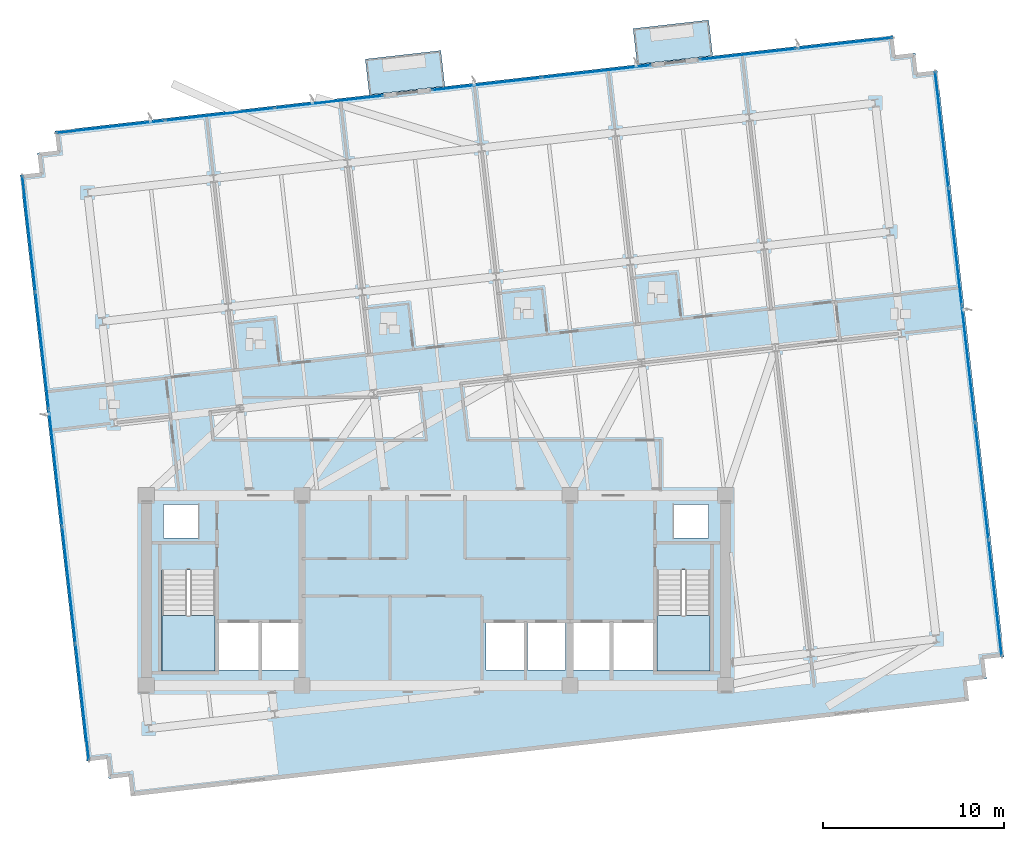
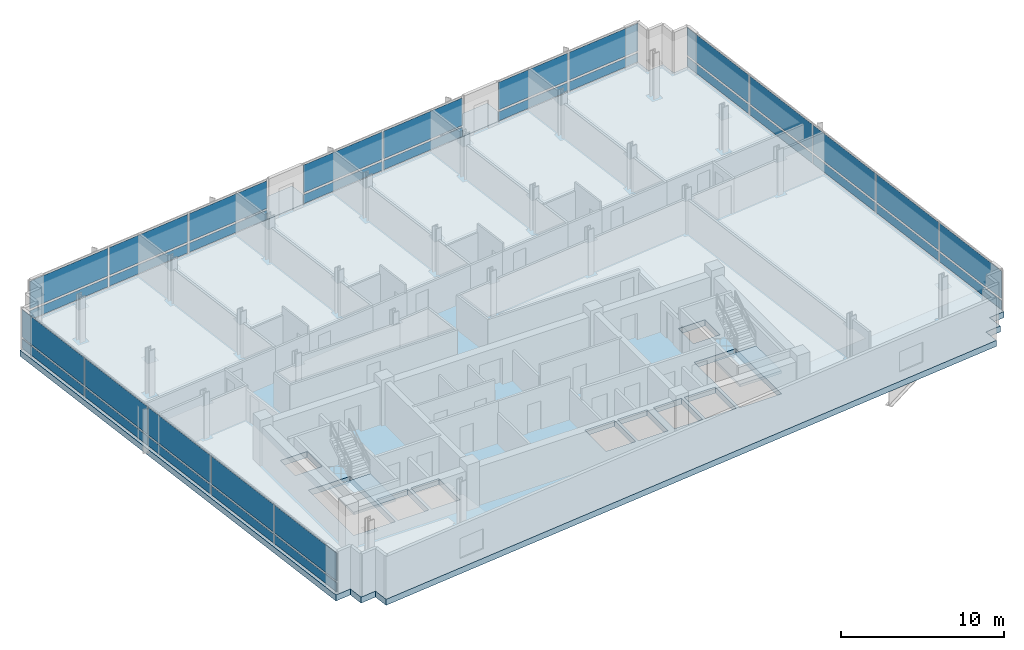
# One storey, part 7 of 15: 34 plates, 5 slabs, 7 elements without a shape of their own.
"""IFC4 building model written with IfcOpenShell, lengths in metres."""

from ifc_helpers import new_model, si_unit, direction, frame, origin, origin_2d, place, context, subcontext, project, spatial, polyline, rectangle, outline, extrude, material, layer, layer_set, type_object, element, aggregate, save


model = new_model("IFC4")

# Units and contexts
model_context = context("Model", 3, precision=1e-05, world=origin(), true_north=direction((0.0, 1.0)))
body_context = subcontext(model_context, "Body", "Model", "MODEL_VIEW")
ifc_project = project(units=[si_unit("LENGTHUNIT", "METRE"), si_unit("AREAUNIT", "SQUARE_METRE"), si_unit("VOLUMEUNIT", "CUBIC_METRE"), si_unit("PLANEANGLEUNIT", "RADIAN"), si_unit("MASSUNIT", "GRAM", prefix="KILO")], contexts=[model_context])

# Site, building, storey
site_placement = place(None, origin())
site = spatial("IfcSite", under=ifc_project, at=site_placement, CompositionType="ELEMENT")
building_placement = place(site_placement, origin())
building = spatial("IfcBuilding", under=site, at=building_placement, Name="Solmavex Isthmus Hotel", CompositionType="ELEMENT")
storey_placement = place(building_placement, frame((0.0, 0.0, 191.699951171875)))
storey = spatial("IfcBuildingStorey", under=building, at=storey_placement, Name="L51", CompositionType="ELEMENT", Elevation=191.699951171875)

# Curtain wall, plates
ifc_material_1 = material(Name="Aluminium alloy 6063-T6", Category="aluminium")
curtain_wall_type = type_object("IfcCurtainWallType", Name="CW-SYS-04", PredefinedType="NOTDEFINED", material=ifc_material_1)
curtain_wall_1_placement = place(storey_placement, origin())
curtain_wall_1 = element("IfcCurtainWall", 1, at=curtain_wall_1_placement, inside=storey, type_object=curtain_wall_type, Name="Stick Curtain Wall CWL-L51-N1", PredefinedType="NOTDEFINED")
ifc_material_2 = material(Name="Clear low-E laminated glass", Category="glass")
ifc_layer_1 = layer(ifc_material_2, 0.033935546875)
ifc_layer_set_1 = layer_set([ifc_layer_1], Name="Clear low-E laminated glass")
plate_type = type_object("IfcPlateType", Name="CW-SYS-04-PNL", PredefinedType="CURTAIN_PANEL", material=ifc_layer_set_1)
plate_1_placement = place(storey_placement, frame((-17.985595703125, 17.87109375, 0.14990234375), z_axis=(0.0, 0.0, 1.0), x_axis=(0.993571885329, 0.113202953513, 0.0)))
plate_1 = element("IfcPlate", 2, at=plate_1_placement, type_object=plate_type, Name="CW-04 panel 1.1", PredefinedType="CURTAIN_PANEL", context=body_context, shape_type="SweptSolid", body=[
    extrude(rectangle(XDim=5.979736328125, YDim=0.033935546875, at=origin_2d()), origin(), (0.0, 0.0, 1.0), 0.675048828125),
])
plate_2_placement = place(storey_placement, frame((-17.985595703125, 17.87109375, 0.97509765625), z_axis=(0.0, 0.0, 1.0), x_axis=(0.993571885329, 0.113202953513, 0.0)))
plate_2 = element("IfcPlate", 3, at=plate_2_placement, type_object=plate_type, Name="CW-04 panel 1.2", PredefinedType="CURTAIN_PANEL", context=body_context, shape_type="SweptSolid", body=[
    extrude(rectangle(XDim=5.979736328125, YDim=0.033935546875, at=origin_2d()), origin(), (0.0, 0.0, 1.0), 2.06494140625),
])
plate_3_placement = place(storey_placement, frame((-11.951171875, 18.558837890625, 0.14990234375), z_axis=(0.0, 0.0, 1.0), x_axis=(0.993571885329, 0.113202953513, 0.0)))
plate_3 = element("IfcPlate", 4, at=plate_3_placement, type_object=plate_type, Name="CW-04 panel 2.1", PredefinedType="CURTAIN_PANEL", context=body_context, shape_type="SweptSolid", body=[
    extrude(rectangle(XDim=6.017333984375, YDim=0.033935546875, at=origin_2d()), origin(), (0.0, 0.0, 1.0), 0.675048828125),
])
plate_4_placement = place(storey_placement, frame((-11.951171875, 18.558837890625, 0.97509765625), z_axis=(0.0, 0.0, 1.0), x_axis=(0.993571885329, 0.113202953513, 0.0)))
plate_4 = element("IfcPlate", 5, at=plate_4_placement, type_object=plate_type, Name="CW-04 panel 2.2", PredefinedType="CURTAIN_PANEL", context=body_context, shape_type="SweptSolid", body=[
    extrude(rectangle(XDim=6.017333984375, YDim=0.033935546875, at=origin_2d()), origin(), (0.0, 0.0, 1.0), 2.06494140625),
])
plate_5_placement = place(storey_placement, frame((-5.91650390625, 19.246337890625, 0.14990234375), z_axis=(0.0, 0.0, 1.0), x_axis=(0.993571885329, 0.113202953513, 0.0)))
plate_5 = element("IfcPlate", 6, at=plate_5_placement, type_object=plate_type, Name="CW-04 panel 3.1", PredefinedType="CURTAIN_PANEL", context=body_context, shape_type="SweptSolid", body=[
    extrude(rectangle(XDim=5.979736328125, YDim=0.033935546875, at=origin_2d()), origin(), (0.0, 0.0, 1.0), 0.675048828125),
])
plate_6_placement = place(storey_placement, frame((-5.91650390625, 19.246337890625, 0.97509765625), z_axis=(0.0, 0.0, 1.0), x_axis=(0.993571885329, 0.113202953513, 0.0)))
plate_6 = element("IfcPlate", 7, at=plate_6_placement, type_object=plate_type, Name="CW-04 panel 3.2", PredefinedType="CURTAIN_PANEL", context=body_context, shape_type="SweptSolid", body=[
    extrude(rectangle(XDim=5.979736328125, YDim=0.033935546875, at=origin_2d()), origin(), (0.0, 0.0, 1.0), 2.06494140625),
])
aggregate(curtain_wall_1, [plate_1, plate_2, plate_3, plate_4, plate_5, plate_6])

curtain_wall_2_placement = place(storey_placement, origin())
curtain_wall_2 = element("IfcCurtainWall", 8, at=curtain_wall_2_placement, inside=storey, type_object=curtain_wall_type, Name="Stick Curtain Wall CWL-L51-N2", PredefinedType="NOTDEFINED")
plate_7_placement = place(storey_placement, frame((2.78369140625, 20.237548828125, 0.14990234375), z_axis=(0.0, 0.0, 1.0), x_axis=(0.993571896348, 0.113202856801, 0.0)))
plate_7 = element("IfcPlate", 9, at=plate_7_placement, type_object=plate_type, Name="CW-04 panel 1.1", PredefinedType="CURTAIN_PANEL", context=body_context, shape_type="SweptSolid", body=[
    extrude(rectangle(XDim=6.033447265625, YDim=0.033935546875, at=origin_2d()), origin(), (0.0, 0.0, 1.0), 0.675048828125),
])
plate_8_placement = place(storey_placement, frame((2.78369140625, 20.237548828125, 0.97509765625), z_axis=(0.0, 0.0, 1.0), x_axis=(0.993571896348, 0.113202856801, 0.0)))
plate_8 = element("IfcPlate", 10, at=plate_8_placement, type_object=plate_type, Name="CW-04 panel 1.2", PredefinedType="CURTAIN_PANEL", context=body_context, shape_type="SweptSolid", body=[
    extrude(rectangle(XDim=6.033447265625, YDim=0.033935546875, at=origin_2d()), origin(), (0.0, 0.0, 1.0), 2.06494140625),
])
plate_9_placement = place(storey_placement, frame((8.85302734375, 20.928955078125, 0.14990234375), z_axis=(0.0, 0.0, 1.0), x_axis=(0.993571896348, 0.113202856801, 0.0)))
plate_9 = element("IfcPlate", 11, at=plate_9_placement, type_object=plate_type, Name="CW-04 panel 2.1", PredefinedType="CURTAIN_PANEL", context=body_context, shape_type="SweptSolid", body=[
    extrude(rectangle(XDim=6.033447265625, YDim=0.033935546875, at=origin_2d()), origin(), (0.0, 0.0, 1.0), 0.675048828125),
])
plate_10_placement = place(storey_placement, frame((8.85302734375, 20.928955078125, 0.97509765625), z_axis=(0.0, 0.0, 1.0), x_axis=(0.993571896348, 0.113202856801, 0.0)))
plate_10 = element("IfcPlate", 12, at=plate_10_placement, type_object=plate_type, Name="CW-04 panel 2.2", PredefinedType="CURTAIN_PANEL", context=body_context, shape_type="SweptSolid", body=[
    extrude(rectangle(XDim=6.033447265625, YDim=0.033935546875, at=origin_2d()), origin(), (0.0, 0.0, 1.0), 2.06494140625),
])
aggregate(curtain_wall_2, [plate_7, plate_8, plate_9, plate_10])

curtain_wall_3_placement = place(storey_placement, origin())
curtain_wall_3 = element("IfcCurtainWall", 13, at=curtain_wall_3_placement, inside=storey, type_object=curtain_wall_type, Name="Stick Curtain Wall CWL-L51-N3", PredefinedType="NOTDEFINED")
plate_11_placement = place(storey_placement, frame((17.217041015625, 21.882080078125, 0.14990234375), z_axis=(0.0, 0.0, 1.0), x_axis=(0.993571797279, 0.113203726319, 0.0)))
plate_11 = element("IfcPlate", 14, at=plate_11_placement, type_object=plate_type, Name="CW-04 panel 1.1", PredefinedType="CURTAIN_PANEL", context=body_context, shape_type="SweptSolid", body=[
    extrude(rectangle(XDim=5.302978515625, YDim=0.033935546875, at=origin_2d()), origin(), (0.0, 0.0, 1.0), 0.675048828125),
])
plate_12_placement = place(storey_placement, frame((17.217041015625, 21.882080078125, 0.97509765625), z_axis=(0.0, 0.0, 1.0), x_axis=(0.993571797279, 0.113203726319, 0.0)))
plate_12 = element("IfcPlate", 15, at=plate_12_placement, type_object=plate_type, Name="CW-04 panel 1.2", PredefinedType="CURTAIN_PANEL", context=body_context, shape_type="SweptSolid", body=[
    extrude(rectangle(XDim=5.302978515625, YDim=0.033935546875, at=origin_2d()), origin(), (0.0, 0.0, 1.0), 2.06494140625),
])
plate_13_placement = place(storey_placement, frame((22.560546875, 22.49072265625, 0.14990234375), z_axis=(0.0, 0.0, 1.0), x_axis=(0.993571797279, 0.113203726319, 0.0)))
plate_13 = element("IfcPlate", 16, at=plate_13_placement, type_object=plate_type, Name="CW-04 panel 2.1", PredefinedType="CURTAIN_PANEL", context=body_context, shape_type="SweptSolid", body=[
    extrude(rectangle(XDim=5.302978515625, YDim=0.033935546875, at=origin_2d()), origin(), (0.0, 0.0, 1.0), 0.675048828125),
])
plate_14_placement = place(storey_placement, frame((22.560546875, 22.49072265625, 0.97509765625), z_axis=(0.0, 0.0, 1.0), x_axis=(0.993571797279, 0.113203726319, 0.0)))
plate_14 = element("IfcPlate", 17, at=plate_14_placement, type_object=plate_type, Name="CW-04 panel 2.2", PredefinedType="CURTAIN_PANEL", context=body_context, shape_type="SweptSolid", body=[
    extrude(rectangle(XDim=5.302978515625, YDim=0.033935546875, at=origin_2d()), origin(), (0.0, 0.0, 1.0), 2.06494140625),
])
aggregate(curtain_wall_3, [plate_11, plate_12, plate_13, plate_14])

curtain_wall_4_placement = place(storey_placement, origin())
curtain_wall_4 = element("IfcCurtainWall", 18, at=curtain_wall_4_placement, inside=storey, type_object=curtain_wall_type, Name="Stick Curtain Wall CWL-L51-W1", PredefinedType="NOTDEFINED")
plate_15_placement = place(storey_placement, frame((-19.542724609375, -13.91064453125, 0.14990234375), z_axis=(0.0, 0.0, 1.0), x_axis=(-0.11320338078, 0.993571836648, 0.0)))
plate_15 = element("IfcPlate", 19, at=plate_15_placement, type_object=plate_type, Name="CW-04 panel 1.1", PredefinedType="CURTAIN_PANEL", context=body_context, shape_type="SweptSolid", body=[
    extrude(rectangle(XDim=6.407470703125, YDim=0.033935546875, at=origin_2d()), origin(), (0.0, 0.0, 1.0), 0.675048828125),
])
plate_16_placement = place(storey_placement, frame((-19.542724609375, -13.91064453125, 0.97509765625), z_axis=(0.0, 0.0, 1.0), x_axis=(-0.11320338078, 0.993571836648, 0.0)))
plate_16 = element("IfcPlate", 20, at=plate_16_placement, type_object=plate_type, Name="CW-04 panel 1.2", PredefinedType="CURTAIN_PANEL", context=body_context, shape_type="SweptSolid", body=[
    extrude(rectangle(XDim=6.407470703125, YDim=0.033935546875, at=origin_2d()), origin(), (0.0, 0.0, 1.0), 2.06494140625),
])
plate_17_placement = place(storey_placement, frame((-20.27880859375, -7.451171875, 0.14990234375), z_axis=(0.0, 0.0, 1.0), x_axis=(-0.11320338078, 0.993571836648, 0.0)))
plate_17 = element("IfcPlate", 21, at=plate_17_placement, type_object=plate_type, Name="CW-04 panel 2.1", PredefinedType="CURTAIN_PANEL", context=body_context, shape_type="SweptSolid", body=[
    extrude(rectangle(XDim=6.445068359375, YDim=0.033935546875, at=origin_2d()), origin(), (0.0, 0.0, 1.0), 0.675048828125),
])
plate_18_placement = place(storey_placement, frame((-20.27880859375, -7.451171875, 0.97509765625), z_axis=(0.0, 0.0, 1.0), x_axis=(-0.11320338078, 0.993571836648, 0.0)))
plate_18 = element("IfcPlate", 22, at=plate_18_placement, type_object=plate_type, Name="CW-04 panel 2.2", PredefinedType="CURTAIN_PANEL", context=body_context, shape_type="SweptSolid", body=[
    extrude(rectangle(XDim=6.445068359375, YDim=0.033935546875, at=origin_2d()), origin(), (0.0, 0.0, 1.0), 2.06494140625),
])
plate_19_placement = place(storey_placement, frame((-21.016845703125, -0.97314453125, 0.14990234375), z_axis=(0.0, 0.0, 1.0), x_axis=(-0.11320338078, 0.993571836648, 0.0)))
plate_19 = element("IfcPlate", 23, at=plate_19_placement, type_object=plate_type, Name="CW-04 panel 3.1", PredefinedType="CURTAIN_PANEL", context=body_context, shape_type="SweptSolid", body=[
    extrude(rectangle(XDim=6.445068359375, YDim=0.033935546875, at=origin_2d()), origin(), (0.0, 0.0, 1.0), 0.675048828125),
])
plate_20_placement = place(storey_placement, frame((-21.016845703125, -0.97314453125, 0.97509765625), z_axis=(0.0, 0.0, 1.0), x_axis=(-0.11320338078, 0.993571836648, 0.0)))
plate_20 = element("IfcPlate", 24, at=plate_20_placement, type_object=plate_type, Name="CW-04 panel 3.2", PredefinedType="CURTAIN_PANEL", context=body_context, shape_type="SweptSolid", body=[
    extrude(rectangle(XDim=6.445068359375, YDim=0.033935546875, at=origin_2d()), origin(), (0.0, 0.0, 1.0), 2.06494140625),
])
plate_21_placement = place(storey_placement, frame((-21.7548828125, 5.5048828125, 0.14990234375), z_axis=(0.0, 0.0, 1.0), x_axis=(-0.11320338078, 0.993571836648, 0.0)))
plate_21 = element("IfcPlate", 25, at=plate_21_placement, type_object=plate_type, Name="CW-04 panel 4.1", PredefinedType="CURTAIN_PANEL", context=body_context, shape_type="SweptSolid", body=[
    extrude(rectangle(XDim=6.445068359375, YDim=0.033935546875, at=origin_2d()), origin(), (0.0, 0.0, 1.0), 0.675048828125),
])
plate_22_placement = place(storey_placement, frame((-21.7548828125, 5.5048828125, 0.97509765625), z_axis=(0.0, 0.0, 1.0), x_axis=(-0.11320338078, 0.993571836648, 0.0)))
plate_22 = element("IfcPlate", 26, at=plate_22_placement, type_object=plate_type, Name="CW-04 panel 4.2", PredefinedType="CURTAIN_PANEL", context=body_context, shape_type="SweptSolid", body=[
    extrude(rectangle(XDim=6.445068359375, YDim=0.033935546875, at=origin_2d()), origin(), (0.0, 0.0, 1.0), 2.06494140625),
])
plate_23_placement = place(storey_placement, frame((-22.490966796875, 11.96435546875, 0.14990234375), z_axis=(0.0, 0.0, 1.0), x_axis=(-0.11320338078, 0.993571836648, 0.0)))
plate_23 = element("IfcPlate", 27, at=plate_23_placement, type_object=plate_type, Name="CW-04 panel 5.1", PredefinedType="CURTAIN_PANEL", context=body_context, shape_type="SweptSolid", body=[
    extrude(rectangle(XDim=6.407470703125, YDim=0.033935546875, at=origin_2d()), origin(), (0.0, 0.0, 1.0), 0.675048828125),
])
plate_24_placement = place(storey_placement, frame((-22.490966796875, 11.96435546875, 0.97509765625), z_axis=(0.0, 0.0, 1.0), x_axis=(-0.11320338078, 0.993571836648, 0.0)))
plate_24 = element("IfcPlate", 28, at=plate_24_placement, type_object=plate_type, Name="CW-04 panel 5.2", PredefinedType="CURTAIN_PANEL", context=body_context, shape_type="SweptSolid", body=[
    extrude(rectangle(XDim=6.407470703125, YDim=0.033935546875, at=origin_2d()), origin(), (0.0, 0.0, 1.0), 2.06494140625),
])
aggregate(curtain_wall_4, [plate_15, plate_16, plate_17, plate_18, plate_19, plate_20, plate_21, plate_22, plate_23, plate_24])

curtain_wall_5_placement = place(storey_placement, origin())
curtain_wall_5 = element("IfcCurtainWall", 29, at=curtain_wall_5_placement, inside=storey, type_object=curtain_wall_type, Name="Stick Curtain Wall CWL-L51-E1", PredefinedType="NOTDEFINED")
plate_25_placement = place(storey_placement, frame((30.890869140625, -8.16455078125, 0.14990234375), z_axis=(0.0, 0.0, 1.0), x_axis=(-0.11320338078, 0.993571836648, 0.0)))
plate_25 = element("IfcPlate", 30, at=plate_25_placement, type_object=plate_type, Name="CW-04 panel 1.1", PredefinedType="CURTAIN_PANEL", context=body_context, shape_type="SweptSolid", body=[
    extrude(rectangle(XDim=6.407470703125, YDim=0.033935546875, at=origin_2d()), origin(), (0.0, 0.0, 1.0), 0.675048828125),
])
plate_26_placement = place(storey_placement, frame((30.890869140625, -8.16455078125, 0.97509765625), z_axis=(0.0, 0.0, 1.0), x_axis=(-0.11320338078, 0.993571836648, 0.0)))
plate_26 = element("IfcPlate", 31, at=plate_26_placement, type_object=plate_type, Name="CW-04 panel 1.2", PredefinedType="CURTAIN_PANEL", context=body_context, shape_type="SweptSolid", body=[
    extrude(rectangle(XDim=6.407470703125, YDim=0.033935546875, at=origin_2d()), origin(), (0.0, 0.0, 1.0), 2.06494140625),
])
plate_27_placement = place(storey_placement, frame((30.155029296875, -1.705078125, 0.14990234375), z_axis=(0.0, 0.0, 1.0), x_axis=(-0.11320338078, 0.993571836648, 0.0)))
plate_27 = element("IfcPlate", 32, at=plate_27_placement, type_object=plate_type, Name="CW-04 panel 2.1", PredefinedType="CURTAIN_PANEL", context=body_context, shape_type="SweptSolid", body=[
    extrude(rectangle(XDim=6.445068359375, YDim=0.033935546875, at=origin_2d()), origin(), (0.0, 0.0, 1.0), 0.675048828125),
])
plate_28_placement = place(storey_placement, frame((30.155029296875, -1.705078125, 0.97509765625), z_axis=(0.0, 0.0, 1.0), x_axis=(-0.11320338078, 0.993571836648, 0.0)))
plate_28 = element("IfcPlate", 33, at=plate_28_placement, type_object=plate_type, Name="CW-04 panel 2.2", PredefinedType="CURTAIN_PANEL", context=body_context, shape_type="SweptSolid", body=[
    extrude(rectangle(XDim=6.445068359375, YDim=0.033935546875, at=origin_2d()), origin(), (0.0, 0.0, 1.0), 2.06494140625),
])
plate_29_placement = place(storey_placement, frame((29.416748046875, 4.773193359375, 0.14990234375), z_axis=(0.0, 0.0, 1.0), x_axis=(-0.11320338078, 0.993571836648, 0.0)))
plate_29 = element("IfcPlate", 34, at=plate_29_placement, type_object=plate_type, Name="CW-04 panel 3.1", PredefinedType="CURTAIN_PANEL", context=body_context, shape_type="SweptSolid", body=[
    extrude(rectangle(XDim=6.445068359375, YDim=0.033935546875, at=origin_2d()), origin(), (0.0, 0.0, 1.0), 0.675048828125),
])
plate_30_placement = place(storey_placement, frame((29.416748046875, 4.773193359375, 0.97509765625), z_axis=(0.0, 0.0, 1.0), x_axis=(-0.11320338078, 0.993571836648, 0.0)))
plate_30 = element("IfcPlate", 35, at=plate_30_placement, type_object=plate_type, Name="CW-04 panel 3.2", PredefinedType="CURTAIN_PANEL", context=body_context, shape_type="SweptSolid", body=[
    extrude(rectangle(XDim=6.445068359375, YDim=0.033935546875, at=origin_2d()), origin(), (0.0, 0.0, 1.0), 2.06494140625),
])
plate_31_placement = place(storey_placement, frame((28.6787109375, 11.251220703125, 0.14990234375), z_axis=(0.0, 0.0, 1.0), x_axis=(-0.11320338078, 0.993571836648, 0.0)))
plate_31 = element("IfcPlate", 36, at=plate_31_placement, type_object=plate_type, Name="CW-04 panel 4.1", PredefinedType="CURTAIN_PANEL", context=body_context, shape_type="SweptSolid", body=[
    extrude(rectangle(XDim=6.445068359375, YDim=0.033935546875, at=origin_2d()), origin(), (0.0, 0.0, 1.0), 0.675048828125),
])
plate_32_placement = place(storey_placement, frame((28.6787109375, 11.251220703125, 0.97509765625), z_axis=(0.0, 0.0, 1.0), x_axis=(-0.11320338078, 0.993571836648, 0.0)))
plate_32 = element("IfcPlate", 37, at=plate_32_placement, type_object=plate_type, Name="CW-04 panel 4.2", PredefinedType="CURTAIN_PANEL", context=body_context, shape_type="SweptSolid", body=[
    extrude(rectangle(XDim=6.445068359375, YDim=0.033935546875, at=origin_2d()), origin(), (0.0, 0.0, 1.0), 2.06494140625),
])
plate_33_placement = place(storey_placement, frame((27.94287109375, 17.710693359375, 0.14990234375), z_axis=(0.0, 0.0, 1.0), x_axis=(-0.11320338078, 0.993571836648, 0.0)))
plate_33 = element("IfcPlate", 38, at=plate_33_placement, type_object=plate_type, Name="CW-04 panel 5.1", PredefinedType="CURTAIN_PANEL", context=body_context, shape_type="SweptSolid", body=[
    extrude(rectangle(XDim=6.407470703125, YDim=0.033935546875, at=origin_2d()), origin(), (0.0, 0.0, 1.0), 0.675048828125),
])
plate_34_placement = place(storey_placement, frame((27.94287109375, 17.710693359375, 0.97509765625), z_axis=(0.0, 0.0, 1.0), x_axis=(-0.11320338078, 0.993571836648, 0.0)))
plate_34 = element("IfcPlate", 39, at=plate_34_placement, type_object=plate_type, Name="CW-04 panel 5.2", PredefinedType="CURTAIN_PANEL", context=body_context, shape_type="SweptSolid", body=[
    extrude(rectangle(XDim=6.407470703125, YDim=0.033935546875, at=origin_2d()), origin(), (0.0, 0.0, 1.0), 2.06494140625),
])
aggregate(curtain_wall_5, [plate_25, plate_26, plate_27, plate_28, plate_29, plate_30, plate_31, plate_32, plate_33, plate_34])

# Slabs
ifc_material_3 = material(Name="Concrete C40/50", Category="concrete")
ifc_layer_2 = layer(ifc_material_3, 0.239990234375)
ifc_layer_set_2 = layer_set([ifc_layer_2], Name="Concrete C40/50")
slab_type_1 = type_object("IfcSlabType", Name="SLAB-BALC-240", PredefinedType="FLOOR", material=ifc_layer_set_2)
slab_1_placement = place(storey_placement, frame((0.0, 0.0, -0.239990234375)))
element("IfcSlab", 40, at=slab_1_placement, inside=storey, type_object=slab_type_1, Name="Tree-Planter Balcony Slab L51-B1", PredefinedType="FLOOR", context=body_context, shape_type="SweptSolid", body=[
    extrude(outline(polyline([(-3.681640625, 19.63671875), (0.491455078125, 20.1123046875), (0.266845703125, 22.08447265625), (-3.90625, 21.609130859375), (-3.681640625, 19.63671875)])), origin(), (0.0, 0.0, 1.0), 0.239990234375),
])
slab_2_placement = place(storey_placement, frame((0.0, 0.0, -0.239990234375)))
element("IfcSlab", 41, at=slab_2_placement, inside=storey, type_object=slab_type_1, Name="Tree-Planter Balcony Slab L51-B2", PredefinedType="FLOOR", context=body_context, shape_type="SweptSolid", body=[
    extrude(outline(polyline([(11.11474609375, 21.322509765625), (15.287841796875, 21.798095703125), (15.06298828125, 23.770263671875), (10.89013671875, 23.294921875), (11.11474609375, 21.322509765625)])), origin(), (0.0, 0.0, 1.0), 0.239990234375),
])
ifc_material_4 = material(Name="Concrete C50/60", Category="concrete")
ifc_layer_3 = layer(ifc_material_4, 0.449951171875)
ifc_layer_set_3 = layer_set([ifc_layer_3], Name="Concrete C50/60")
slab_type_2 = type_object("IfcSlabType", Name="SLAB-XFER-360", PredefinedType="FLOOR", material=ifc_layer_set_3)
slab_3_placement = place(storey_placement, frame((0.0, 0.0, -0.449951171875)))
element("IfcSlab", 42, at=slab_3_placement, inside=storey, type_object=slab_type_2, Name="Tower Structural Floor Slab L51", PredefinedType="FLOOR", context=body_context, shape_type="SweptSolid", body=[
    extrude(outline(polyline([(-15.762939453125, -18.994140625), (28.3515625, -13.968017578125), (29.444580078125, -13.843505859375), (29.320068359375, -12.75048828125), (30.412841796875, -12.6259765625), (30.288330078125, -11.532958984375), (31.38134765625, -11.408447265625), (31.2568359375, -10.315673828125), (27.8154296875, 19.888916015625), (27.69091796875, 20.98193359375), (26.597900390625, 20.857421875), (26.473388671875, 21.9501953125), (25.38037109375, 21.82568359375), (25.255859375, 22.918701171875), (24.1630859375, 22.794189453125), (-19.95166015625, 17.76806640625), (-21.04443359375, 17.6435546875), (-20.919921875, 16.550537109375), (-22.012939453125, 16.426025390625), (-21.888427734375, 15.3330078125), (-22.981201171875, 15.20849609375), (-22.856689453125, 14.11572265625), (-19.415283203125, -16.0888671875), (-19.290771484375, -17.181884765625), (-18.197998046875, -17.057373046875), (-18.073486328125, -18.150390625), (-16.98046875, -18.02587890625), (-16.85595703125, -19.11865234375), (-15.762939453125, -18.994140625)]), holes=[polyline([(-15.14990234375, -6.617919921875), (-15.14990234375, -12.199951171875), (-12.199951171875, -12.199951171875), (-12.199951171875, -6.617919921875), (-15.14990234375, -6.617919921875)]), polyline([(12.199951171875, -6.617919921875), (12.199951171875, -12.199951171875), (15.14990234375, -12.199951171875), (15.14990234375, -6.617919921875), (12.199951171875, -6.617919921875)]), polyline([(-12.0, -12.14990234375), (-9.800048828125, -12.14990234375), (-9.800048828125, -9.550048828125), (-12.0, -9.550048828125), (-12.0, -12.14990234375)]), polyline([(9.800048828125, -12.14990234375), (12.0, -12.14990234375), (12.0, -9.550048828125), (9.800048828125, -9.550048828125), (9.800048828125, -12.14990234375)]), polyline([(-9.60009765625, -12.14990234375), (-7.60009765625, -12.14990234375), (-7.60009765625, -9.550048828125), (-9.60009765625, -9.550048828125), (-9.60009765625, -12.14990234375)]), polyline([(7.60009765625, -12.14990234375), (9.60009765625, -12.14990234375), (9.60009765625, -9.550048828125), (7.60009765625, -9.550048828125), (7.60009765625, -12.14990234375)]), polyline([(2.75, -12.14990234375), (4.85009765625, -12.14990234375), (4.85009765625, -9.550048828125), (2.75, -9.550048828125), (2.75, -12.14990234375)]), polyline([(5.050048828125, -12.14990234375), (7.14990234375, -12.14990234375), (7.14990234375, -9.550048828125), (5.050048828125, -9.550048828125), (5.050048828125, -12.14990234375)]), polyline([(-15.050048828125, -4.85009765625), (-13.14990234375, -4.85009765625), (-13.14990234375, -3.0), (-15.050048828125, -3.0), (-15.050048828125, -4.85009765625)]), polyline([(13.14990234375, -4.85009765625), (15.050048828125, -4.85009765625), (15.050048828125, -3.0), (13.14990234375, -3.0), (13.14990234375, -4.85009765625)])]), origin(), (0.0, 0.0, 1.0), 0.449951171875),
])

# Stair, slab
stair_type_1 = type_object("IfcStairType", Name="STR-ST-1", PredefinedType="HALF_TURN_STAIR", material=ifc_material_3)
stair_1_placement = place(storey_placement, origin())
stair_1 = element("IfcStair", 43, at=stair_1_placement, inside=storey, type_object=stair_type_1, Name="L51 Protected Exit Stair ST-1", PredefinedType="HALF_TURN_STAIR")
ifc_layer_4 = layer(ifc_material_3, 0.219970703125)
ifc_layer_set_4 = layer_set([ifc_layer_4], Name="Concrete C40/50")
slab_type_3 = type_object("IfcSlabType", Name="SLD-ST-1", PredefinedType="LANDING", material=ifc_layer_set_4)
slab_4_placement = place(storey_placement, frame((0.0, 0.0, 1.525146484375)))
slab_4 = element("IfcSlab", 44, at=slab_4_placement, type_object=slab_type_3, Name="ST-1 landing 1", PredefinedType="LANDING", context=body_context, shape_type="SweptSolid", body=[
    extrude(outline(polyline([(-15.14990234375, -9.1201171875), (-15.14990234375, -12.199951171875), (-12.199951171875, -12.199951171875), (-12.199951171875, -9.1201171875), (-15.14990234375, -9.1201171875)])), origin(), (0.0, 0.0, 1.0), 0.199951171875),
])
aggregate(stair_1, [slab_4])

stair_type_2 = type_object("IfcStairType", Name="STR-ST-2", PredefinedType="HALF_TURN_STAIR", material=ifc_material_3)
stair_2_placement = place(storey_placement, origin())
stair_2 = element("IfcStair", 45, at=stair_2_placement, inside=storey, type_object=stair_type_2, Name="L51 Protected Exit Stair ST-2", PredefinedType="HALF_TURN_STAIR")
ifc_layer_5 = layer(ifc_material_3, 0.219970703125)
ifc_layer_set_5 = layer_set([ifc_layer_5], Name="Concrete C40/50")
slab_type_4 = type_object("IfcSlabType", Name="SLD-ST-2", PredefinedType="LANDING", material=ifc_layer_set_5)
slab_5_placement = place(storey_placement, frame((0.0, 0.0, 1.525146484375)))
slab_5 = element("IfcSlab", 46, at=slab_5_placement, type_object=slab_type_4, Name="ST-2 landing 1", PredefinedType="LANDING", context=body_context, shape_type="SweptSolid", body=[
    extrude(outline(polyline([(12.199951171875, -9.1201171875), (12.199951171875, -12.199951171875), (15.14990234375, -12.199951171875), (15.14990234375, -9.1201171875), (12.199951171875, -9.1201171875)])), origin(), (0.0, 0.0, 1.0), 0.199951171875),
])
aggregate(stair_2, [slab_5])

save(model, "model.ifc")
